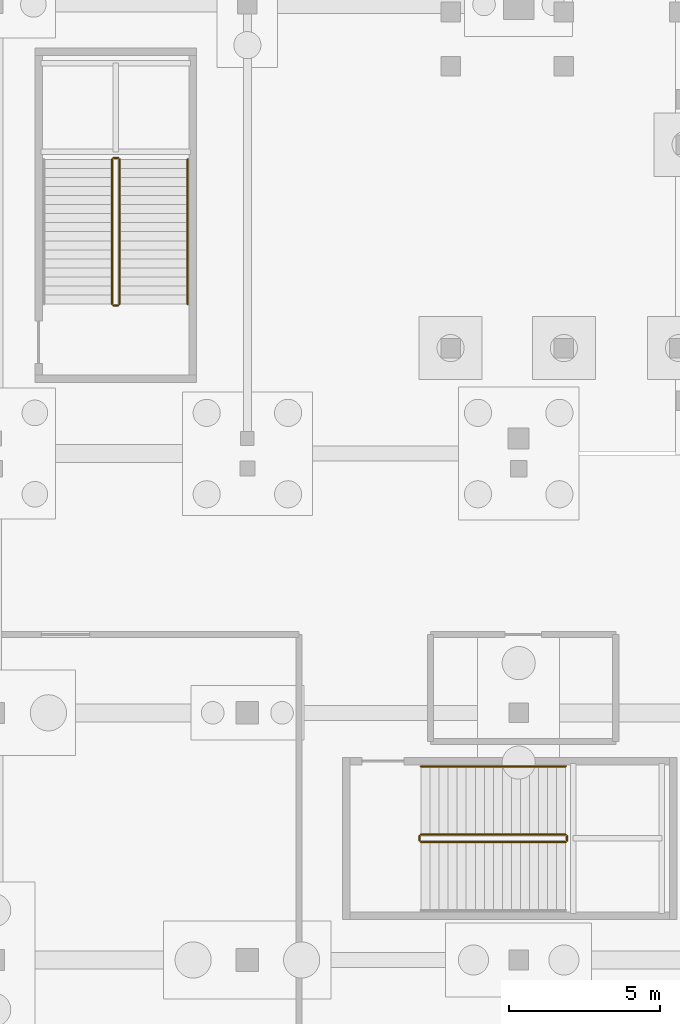
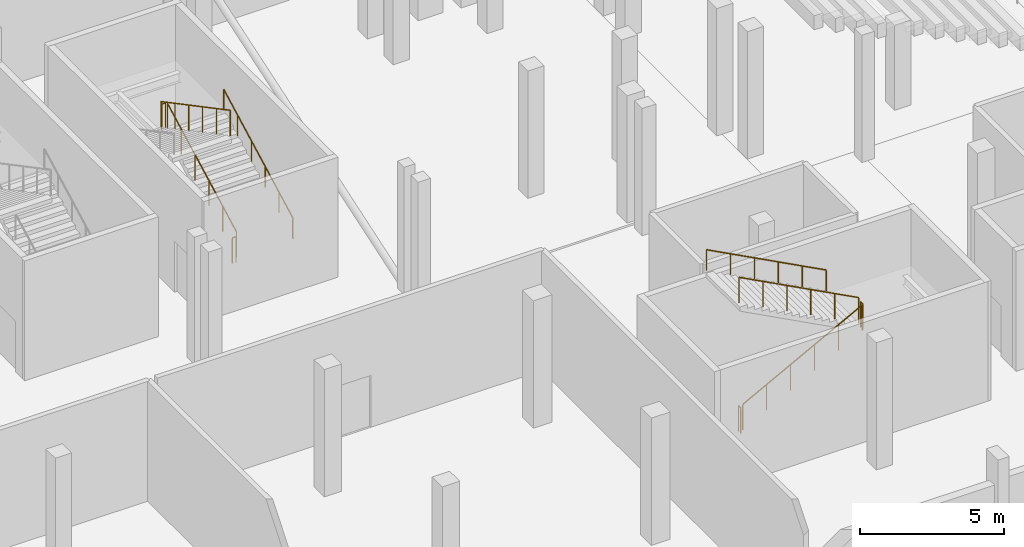
# One storey, part 62 of 89: 10 railings.
"""IFC4 building model written with IfcOpenShell, lengths in metres."""

from ifc_helpers import new_model, si_unit, direction, frame, origin, origin_2d, place, context, subcontext, project, spatial, circle, extrude, material, type_object, element, save


model = new_model("IFC4")

# Units and contexts
model_context = context("Model", 3, precision=1e-05, world=origin(), true_north=direction((0.0, 1.0)))
body_context = subcontext(model_context, "Body", "Model", "MODEL_VIEW")
ifc_project = project(units=[si_unit("LENGTHUNIT", "METRE"), si_unit("AREAUNIT", "SQUARE_METRE"), si_unit("VOLUMEUNIT", "CUBIC_METRE"), si_unit("PLANEANGLEUNIT", "RADIAN"), si_unit("MASSUNIT", "GRAM", prefix="KILO")], contexts=[model_context])

# Site, building, storey
site_placement = place(None, origin())
site = spatial("IfcSite", under=ifc_project, at=site_placement, CompositionType="ELEMENT")
building_placement = place(site_placement, origin())
building = spatial("IfcBuilding", under=site, at=building_placement, Name="Koshinbarg Plaza Stadium", CompositionType="ELEMENT")
storey_placement = place(building_placement, origin())
storey = spatial("IfcBuildingStorey", under=building, at=storey_placement, Name="L00", CompositionType="ELEMENT", Elevation=0.0)

# Railings
ifc_material_1 = material(Name="Galvanized painted steel guardrail", Category="steel")
railing_type_1 = type_object("IfcRailingType", Name="RL-GUARD-1100", PredefinedType="GUARDRAIL", material=ifc_material_1)
railing_1_placement = place(storey_placement, frame((60.360107421875, 12.110107421875, 0.158935546875)))
element("IfcRailing", 1, at=railing_1_placement, inside=storey, type_object=railing_type_1, Name="L00 C13 stair guard 1", PredefinedType="GUARDRAIL", context=body_context, shape_type="SweptSolid", body=[
    extrude(circle(Radius=0.02392578125, at=origin_2d()), frame((0.0, 0.0, 1.076171875), z_axis=(0.883792290195, 0.0, 0.467879458614), x_axis=(0.0, 1.0, 0.0)), (0.0, 0.0, 1.0), 5.430908203125),
    extrude(circle(Radius=0.02099609375, at=origin_2d()), origin(), (0.0, 0.0, 1.0), 1.052001953125),
    extrude(circle(Radius=0.02099609375, at=origin_2d()), frame((0.9599609375, 0.0, 0.50830078125)), (0.0, 0.0, 1.0), 1.052001953125),
    extrude(circle(Radius=0.02099609375, at=origin_2d()), frame((1.919921875, 0.0, 1.016357421875)), (0.0, 0.0, 1.0), 1.052001953125),
    extrude(circle(Radius=0.02099609375, at=origin_2d()), frame((2.8798828125, 0.0, 1.524658203125)), (0.0, 0.0, 1.0), 1.052001953125),
    extrude(circle(Radius=0.02099609375, at=origin_2d()), frame((3.83984375, 0.0, 2.03271484375)), (0.0, 0.0, 1.0), 1.052001953125),
    extrude(circle(Radius=0.02099609375, at=origin_2d()), frame((4.7998046875, 0.0, 2.541015625)), (0.0, 0.0, 1.0), 1.052001953125),
])
railing_2_placement = place(storey_placement, frame((65.2099609375, 12.159912109375, 2.699951171875)))
element("IfcRailing", 2, at=railing_2_placement, inside=storey, type_object=railing_type_1, Name="L00 C13 stair guard 2", PredefinedType="GUARDRAIL", context=body_context, shape_type="SweptSolid", body=[
    extrude(circle(Radius=0.02392578125, at=origin_2d()), frame((0.0, 0.0, 1.076171875), z_axis=(0.0, 1.0, 0.0), x_axis=(-1.0, 0.0, 0.0)), (0.0, 0.0, 1.0), 0.150146484375),
    extrude(circle(Radius=0.02099609375, at=origin_2d()), origin(), (0.0, 0.0, 1.0), 1.052001953125),
    extrude(circle(Radius=0.02099609375, at=origin_2d()), frame((0.0, 0.150146484375, 0.0)), (0.0, 0.0, 1.0), 1.052001953125),
])
railing_3_placement = place(storey_placement, frame((65.159912109375, 12.360107421875, 2.85888671875)))
element("IfcRailing", 3, at=railing_3_placement, inside=storey, type_object=railing_type_1, Name="L00 C13 stair guard 3", PredefinedType="GUARDRAIL", context=body_context, shape_type="SweptSolid", body=[
    extrude(circle(Radius=0.02392578125, at=origin_2d()), frame((0.0, 0.0, 1.076171875), z_axis=(-0.883792290195, 0.0, 0.467879458614), x_axis=(0.0, -1.0, 0.0)), (0.0, 0.0, 1.0), 5.430908203125),
    extrude(circle(Radius=0.02099609375, at=origin_2d()), origin(), (0.0, 0.0, 1.0), 1.052001953125),
    extrude(circle(Radius=0.02099609375, at=origin_2d()), frame((-0.9599609375, 0.0, 0.50830078125)), (0.0, 0.0, 1.0), 1.052001953125),
    extrude(circle(Radius=0.02099609375, at=origin_2d()), frame((-1.919921875, 0.0, 1.016357421875)), (0.0, 0.0, 1.0), 1.052001953125),
    extrude(circle(Radius=0.02099609375, at=origin_2d()), frame((-2.8798828125, 0.0, 1.524658203125)), (0.0, 0.0, 1.0), 1.052001953125),
    extrude(circle(Radius=0.02099609375, at=origin_2d()), frame((-3.83984375, 0.0, 2.03271484375)), (0.0, 0.0, 1.0), 1.052001953125),
    extrude(circle(Radius=0.02099609375, at=origin_2d()), frame((-4.7998046875, 0.0, 2.541015625)), (0.0, 0.0, 1.0), 1.052001953125),
])
railing_4_placement = place(storey_placement, frame((60.31005859375, 12.159912109375, 0.0)))
element("IfcRailing", 4, at=railing_4_placement, inside=storey, type_object=railing_type_1, Name="L00 C13 stair guard 4", PredefinedType="GUARDRAIL", context=body_context, shape_type="SweptSolid", body=[
    extrude(circle(Radius=0.02392578125, at=origin_2d()), frame((0.0, 0.0, 1.076171875), z_axis=(0.0, 1.0, 0.0), x_axis=(-1.0, 0.0, 0.0)), (0.0, 0.0, 1.0), 0.150146484375),
    extrude(circle(Radius=0.02099609375, at=origin_2d()), origin(), (0.0, 0.0, 1.0), 1.052001953125),
    extrude(circle(Radius=0.02099609375, at=origin_2d()), frame((0.0, 0.150146484375, 0.0)), (0.0, 0.0, 1.0), 1.052001953125),
])
railing_5_placement = place(storey_placement, frame((50.360107421875, 29.9599609375, 0.158935546875)))
element("IfcRailing", 5, at=railing_5_placement, inside=storey, type_object=railing_type_1, Name="L00 VL01 stair guard 1", PredefinedType="GUARDRAIL", context=body_context, shape_type="SweptSolid", body=[
    extrude(circle(Radius=0.02392578125, at=origin_2d()), frame((0.0, 0.0, 1.076171875), z_axis=(0.0, 0.883802130504, 0.467860870469), x_axis=(-1.0, 0.0, 0.0)), (0.0, 0.0, 1.0), 5.43115234375),
    extrude(circle(Radius=0.02099609375, at=origin_2d()), origin(), (0.0, 0.0, 1.0), 1.052001953125),
    extrude(circle(Radius=0.02099609375, at=origin_2d()), frame((0.0, 0.9599609375, 0.50830078125)), (0.0, 0.0, 1.0), 1.052001953125),
    extrude(circle(Radius=0.02099609375, at=origin_2d()), frame((0.0, 1.919921875, 1.016357421875)), (0.0, 0.0, 1.0), 1.052001953125),
    extrude(circle(Radius=0.02099609375, at=origin_2d()), frame((0.0, 2.880126953125, 1.524658203125)), (0.0, 0.0, 1.0), 1.052001953125),
    extrude(circle(Radius=0.02099609375, at=origin_2d()), frame((0.0, 3.840087890625, 2.03271484375)), (0.0, 0.0, 1.0), 1.052001953125),
    extrude(circle(Radius=0.02099609375, at=origin_2d()), frame((0.0, 4.800048828125, 2.541015625)), (0.0, 0.0, 1.0), 1.052001953125),
])
railing_6_placement = place(storey_placement, frame((50.31005859375, 34.81005859375, 2.699951171875)))
element("IfcRailing", 6, at=railing_6_placement, inside=storey, type_object=railing_type_1, Name="L00 VL01 stair guard 2", PredefinedType="GUARDRAIL", context=body_context, shape_type="SweptSolid", body=[
    extrude(circle(Radius=0.02392578125, at=origin_2d()), frame((0.0, 0.0, 1.076171875), z_axis=(-1.0, 0.0, 0.0), x_axis=(0.0, -1.0, 0.0)), (0.0, 0.0, 1.0), 0.150146484375),
    extrude(circle(Radius=0.02099609375, at=origin_2d()), origin(), (0.0, 0.0, 1.0), 1.052001953125),
    extrude(circle(Radius=0.02099609375, at=origin_2d()), frame((-0.150146484375, 0.0, 0.0)), (0.0, 0.0, 1.0), 1.052001953125),
])
railing_7_placement = place(storey_placement, frame((50.110107421875, 34.760009765625, 2.85888671875)))
element("IfcRailing", 7, at=railing_7_placement, inside=storey, type_object=railing_type_1, Name="L00 VL01 stair guard 3", PredefinedType="GUARDRAIL", context=body_context, shape_type="SweptSolid", body=[
    extrude(circle(Radius=0.02392578125, at=origin_2d()), frame((0.0, 0.0, 1.076171875), z_axis=(0.0, -0.883802130504, 0.467860870469), x_axis=(1.0, 0.0, 0.0)), (0.0, 0.0, 1.0), 5.43115234375),
    extrude(circle(Radius=0.02099609375, at=origin_2d()), origin(), (0.0, 0.0, 1.0), 1.052001953125),
    extrude(circle(Radius=0.02099609375, at=origin_2d()), frame((0.0, -0.9599609375, 0.50830078125)), (0.0, 0.0, 1.0), 1.052001953125),
    extrude(circle(Radius=0.02099609375, at=origin_2d()), frame((0.0, -1.919921875, 1.016357421875)), (0.0, 0.0, 1.0), 1.052001953125),
    extrude(circle(Radius=0.02099609375, at=origin_2d()), frame((0.0, -2.880126953125, 1.524658203125)), (0.0, 0.0, 1.0), 1.052001953125),
    extrude(circle(Radius=0.02099609375, at=origin_2d()), frame((0.0, -3.840087890625, 2.03271484375)), (0.0, 0.0, 1.0), 1.052001953125),
    extrude(circle(Radius=0.02099609375, at=origin_2d()), frame((0.0, -4.800048828125, 2.541015625)), (0.0, 0.0, 1.0), 1.052001953125),
])
railing_8_placement = place(storey_placement, frame((50.31005859375, 29.909912109375, 0.0)))
element("IfcRailing", 8, at=railing_8_placement, inside=storey, type_object=railing_type_1, Name="L00 VL01 stair guard 4", PredefinedType="GUARDRAIL", context=body_context, shape_type="SweptSolid", body=[
    extrude(circle(Radius=0.02392578125, at=origin_2d()), frame((0.0, 0.0, 1.076171875), z_axis=(-1.0, 0.0, 0.0), x_axis=(0.0, -1.0, 0.0)), (0.0, 0.0, 1.0), 0.150146484375),
    extrude(circle(Radius=0.02099609375, at=origin_2d()), origin(), (0.0, 0.0, 1.0), 1.052001953125),
    extrude(circle(Radius=0.02099609375, at=origin_2d()), frame((-0.150146484375, 0.0, 0.0)), (0.0, 0.0, 1.0), 1.052001953125),
])
ifc_material_2 = material(Name="Brushed stainless steel handrail", Category="steel")
railing_type_2 = type_object("IfcRailingType", Name="RL-HAND-900", PredefinedType="HANDRAIL", material=ifc_material_2)
railing_9_placement = place(storey_placement, frame((65.159912109375, 14.6201171875, 2.85888671875)))
element("IfcRailing", 9, at=railing_9_placement, inside=storey, type_object=railing_type_2, Name="L00 C13 stair handrail 2", PredefinedType="HANDRAIL", context=body_context, shape_type="SweptSolid", body=[
    extrude(circle(Radius=0.02392578125, at=origin_2d()), frame((0.0, 0.0, 0.8759765625), z_axis=(-0.883792290195, 0.0, 0.467879458614), x_axis=(0.0, -1.0, 0.0)), (0.0, 0.0, 1.0), 5.430908203125),
    extrude(circle(Radius=0.02099609375, at=origin_2d()), origin(), (0.0, 0.0, 1.0), 0.851806640625),
    extrude(circle(Radius=0.02099609375, at=origin_2d()), frame((-0.9599609375, 0.0, 0.50830078125)), (0.0, 0.0, 1.0), 0.851806640625),
    extrude(circle(Radius=0.02099609375, at=origin_2d()), frame((-1.919921875, 0.0, 1.016357421875)), (0.0, 0.0, 1.0), 0.851806640625),
    extrude(circle(Radius=0.02099609375, at=origin_2d()), frame((-2.8798828125, 0.0, 1.524658203125)), (0.0, 0.0, 1.0), 0.851806640625),
    extrude(circle(Radius=0.02099609375, at=origin_2d()), frame((-3.83984375, 0.0, 2.03271484375)), (0.0, 0.0, 1.0), 0.851806640625),
    extrude(circle(Radius=0.02099609375, at=origin_2d()), frame((-4.7998046875, 0.0, 2.541015625)), (0.0, 0.0, 1.0), 0.851806640625),
])
railing_10_placement = place(storey_placement, frame((52.6201171875, 29.9599609375, 0.158935546875)))
element("IfcRailing", 10, at=railing_10_placement, inside=storey, type_object=railing_type_2, Name="L00 VL01 stair handrail 1", PredefinedType="HANDRAIL", context=body_context, shape_type="SweptSolid", body=[
    extrude(circle(Radius=0.02392578125, at=origin_2d()), frame((0.0, 0.0, 0.8759765625), z_axis=(0.0, 0.883802130504, 0.467860870469), x_axis=(-1.0, 0.0, 0.0)), (0.0, 0.0, 1.0), 5.43115234375),
    extrude(circle(Radius=0.02099609375, at=origin_2d()), origin(), (0.0, 0.0, 1.0), 0.851806640625),
    extrude(circle(Radius=0.02099609375, at=origin_2d()), frame((0.0, 0.9599609375, 0.50830078125)), (0.0, 0.0, 1.0), 0.851806640625),
    extrude(circle(Radius=0.02099609375, at=origin_2d()), frame((0.0, 1.919921875, 1.016357421875)), (0.0, 0.0, 1.0), 0.851806640625),
    extrude(circle(Radius=0.02099609375, at=origin_2d()), frame((0.0, 2.880126953125, 1.524658203125)), (0.0, 0.0, 1.0), 0.851806640625),
    extrude(circle(Radius=0.02099609375, at=origin_2d()), frame((0.0, 3.840087890625, 2.03271484375)), (0.0, 0.0, 1.0), 0.851806640625),
    extrude(circle(Radius=0.02099609375, at=origin_2d()), frame((0.0, 4.800048828125, 2.541015625)), (0.0, 0.0, 1.0), 0.851806640625),
])

save(model, "model.ifc")
